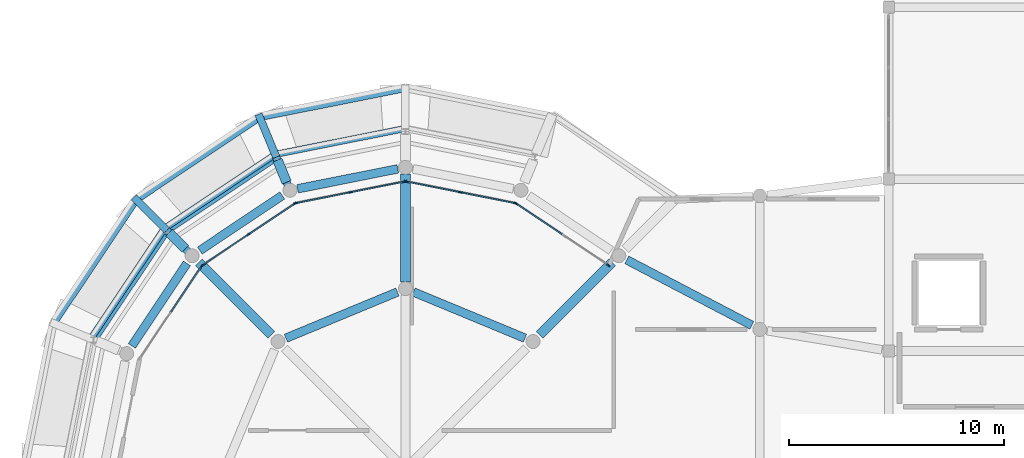
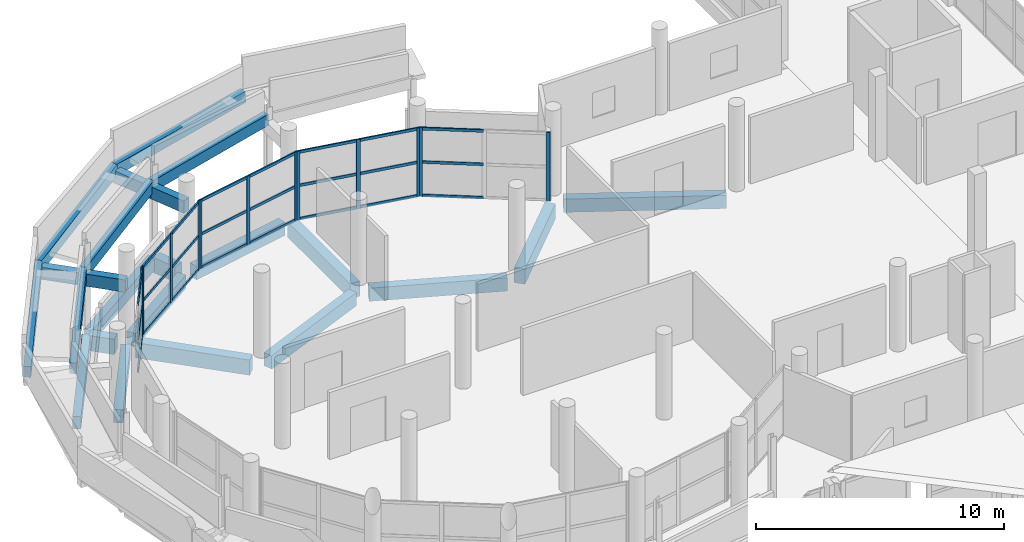
# One storey, part 18 of 83: 36 members, 23 beams, 5 elements without a shape of their own.
"""IFC4 building model written with IfcOpenShell, lengths in metres."""

from ifc_helpers import new_model, si_unit, direction, frame, origin, origin_2d, place, context, subcontext, project, spatial, rectangle, extrude, material, layer, layer_set, material_profile, profile_set, type_object, element, aggregate, save


model = new_model("IFC4")

# Units and contexts
model_context = context("Model", 3, precision=1e-05, world=origin(), true_north=direction((0.0, 1.0)))
body_context = subcontext(model_context, "Body", "Model", "MODEL_VIEW")
ifc_project = project(units=[si_unit("LENGTHUNIT", "METRE"), si_unit("AREAUNIT", "SQUARE_METRE"), si_unit("VOLUMEUNIT", "CUBIC_METRE"), si_unit("PLANEANGLEUNIT", "RADIAN"), si_unit("MASSUNIT", "GRAM", prefix="KILO")], contexts=[model_context])

# Site, building, storey
site_placement = place(None, origin())
site = spatial("IfcSite", under=ifc_project, at=site_placement, CompositionType="ELEMENT")
building_placement = place(site_placement, origin())
building = spatial("IfcBuilding", under=site, at=building_placement, Name="Jelvoka-Kovrelna Polytechnic", CompositionType="ELEMENT")
storey_placement = place(building_placement, frame((0.0, 0.0, 13.800048828125)))
storey = spatial("IfcBuildingStorey", under=building, at=storey_placement, Name="L04", CompositionType="ELEMENT", Elevation=13.800048828125)

# Beams
ifc_material_1 = material(Name="Concrete C35/45", Category="concrete")
ifc_material_profile_1 = material_profile(ifc_material_1, rectangle(XDim=0.35009765625, YDim=0.60009765625, at=origin_2d()), Name="RC 350x600")
ifc_profile_set_1 = profile_set([ifc_material_profile_1], Name="Concrete C35/45")
beam_type_1 = type_object("IfcBeamType", Name="Beam_RC_350x600", PredefinedType="BEAM", material=ifc_profile_set_1)
beam_1_placement = place(storey_placement, frame((15.565185546875, 52.434814453125, 2.4150390625), z_axis=(-0.707106781187, 0.707106781187, 0.0), x_axis=(-0.707106781187, -0.707106781187, 0.0)))
element("IfcBeam", 1, at=beam_1_placement, inside=storey, type_object=beam_type_1, Name="L04 spiral ramp inner tie beam 4.4", PredefinedType="BEAM", context=body_context, shape_type="SweptSolid", body=[
    extrude(rectangle(XDim=0.35009765625, YDim=0.60009765625, at=origin_2d()), origin(), (0.0, 0.0, 1.0), 1.670166015625),
])
beam_2_placement = place(storey_placement, frame((14.38427734375, 53.61572265625, 2.4150390625), z_axis=(-0.707106781187, 0.707106781187, 0.0), x_axis=(-0.707106781187, -0.707106781187, 0.0)))
element("IfcBeam", 2, at=beam_2_placement, inside=storey, type_object=beam_type_1, Name="L04 spiral ramp cantilever bracket 4.4", PredefinedType="BEAM", context=body_context, shape_type="SweptSolid", body=[
    extrude(rectangle(XDim=0.35009765625, YDim=0.60009765625, at=origin_2d()), origin(), (0.0, 0.0, 1.0), 2.159912109375),
])
beam_3_placement = place(storey_placement, frame((20.123291015625, 55.48046875, 2.8349609375), z_axis=(-0.38270467954, 0.923870731357, 0.0), x_axis=(-0.923870731357, -0.38270467954, 0.0)))
element("IfcBeam", 3, at=beam_3_placement, inside=storey, type_object=beam_type_1, Name="L04 spiral ramp inner tie beam 4.3", PredefinedType="BEAM", context=body_context, shape_type="SweptSolid", body=[
    extrude(rectangle(XDim=0.35009765625, YDim=0.60009765625, at=origin_2d()), origin(), (0.0, 0.0, 1.0), 1.670166015625),
])
beam_4_placement = place(storey_placement, frame((19.484130859375, 57.0234375, 2.8349609375), z_axis=(-0.382608018592, 0.923910766313, 0.0), x_axis=(-0.923910766313, -0.382608018592, 0.0)))
element("IfcBeam", 4, at=beam_4_placement, inside=storey, type_object=beam_type_1, Name="L04 spiral ramp cantilever bracket 4.3", PredefinedType="BEAM", context=body_context, shape_type="SweptSolid", body=[
    extrude(rectangle(XDim=0.35009765625, YDim=0.60009765625, at=origin_2d()), origin(), (0.0, 0.0, 1.0), 2.159912109375),
])
ifc_material_2 = material(Name="Concrete C40/50", Category="concrete")
ifc_material_profile_2 = material_profile(ifc_material_2, rectangle(XDim=0.39990234375, YDim=0.64990234375, at=origin_2d()), Name="RC 400x650")
ifc_profile_set_2 = profile_set([ifc_material_profile_2], Name="Concrete C40/50")
beam_type_2 = type_object("IfcBeamType", Name="Beam_RC_400x650", PredefinedType="BEAM", material=ifc_profile_set_2)
for number, where, z_axis, x_axis, name in (
    (5, (31.06591796875, 48.594482421875, -0.574951171875), (-0.923880758636, 0.382680472226, 0.0), (-0.382680472226, -0.923880758636, 0.0), "L04 beam 2546"),
    (6, (25.126220703125, 50.7451171875, -0.574951171875), (-0.923880758636, -0.382680472226, 0.0), (0.382680472226, -0.923880758636, 0.0), "L04 beam 2547"),
):
    element("IfcBeam", number, at=place(storey_placement, frame(where, z_axis=z_axis, x_axis=x_axis)), inside=storey, type_object=beam_type_2, Name=name, PredefinedType="BEAM", context=body_context, shape_type="SweptSolid", body=[
        extrude(rectangle(XDim=0.39990234375, YDim=0.64990234375, at=origin_2d()), origin(), (0.0, 0.0, 1.0), 5.619873046875),
    ])
beam_5_placement = place(storey_placement, frame((25.144775390625, 56.479248046875, -0.574951171875), z_axis=(-0.98079325321, -0.195050235727, 0.0), x_axis=(0.195050235727, -0.98079325321, 0.0)))
element("IfcBeam", 7, at=beam_5_placement, inside=storey, type_object=beam_type_2, Name="L04 beam 2554", PredefinedType="BEAM", context=body_context, shape_type="SweptSolid", body=[
    extrude(rectangle(XDim=0.39990234375, YDim=0.64990234375, at=origin_2d()), origin(), (0.0, 0.0, 1.0), 4.757568359375),
])
for number, where, z_axis, x_axis, name in (
    (8, (19.76513671875, 55.2412109375, -0.574951171875), (-0.83148081682, -0.555553463908, 0.0), (0.555553463908, -0.83148081682, 0.0), "L04 beam 2555"),
    (9, (15.32568359375, 52.07666015625, -0.574951171875), (-0.555553463908, -0.83148081682, 0.0), (0.83148081682, -0.555553463908, 0.0), "L04 beam 2556"),
):
    element("IfcBeam", number, at=place(storey_placement, frame(where, z_axis=z_axis, x_axis=x_axis)), inside=storey, type_object=beam_type_2, Name=name, PredefinedType="BEAM", context=body_context, shape_type="SweptSolid", body=[
        extrude(rectangle(XDim=0.39990234375, YDim=0.64990234375, at=origin_2d()), origin(), (0.0, 0.0, 1.0), 4.620361328125),
    ])
beam_6_placement = place(storey_placement, frame((35.805908203125, 52.24072265625, -0.574951171875), z_axis=(0.886059011068, -0.463572463488, 0.0), x_axis=(0.463572463488, 0.886059011068, 0.0)))
element("IfcBeam", 10, at=beam_6_placement, inside=storey, type_object=beam_type_2, Name="L04 beam 2593", PredefinedType="BEAM", context=body_context, shape_type="SweptSolid", body=[
    extrude(rectangle(XDim=0.39990234375, YDim=0.64990234375, at=origin_2d()), origin(), (0.0, 0.0, 1.0), 6.572021484375),
])
ifc_material_3 = material(Name="Concrete C40/50", Category="concrete")
ifc_material_profile_3 = material_profile(ifc_material_3, rectangle(XDim=0.449951171875, YDim=0.75, at=origin_2d()), Name="RC 450x750")
ifc_profile_set_3 = profile_set([ifc_material_profile_3], Name="Concrete C40/50")
beam_type_3 = type_object("IfcBeamType", Name="Beam_RC_450x750", PredefinedType="BEAM", material=ifc_profile_set_3)
beam_7_placement = place(storey_placement, frame((31.75048828125, 48.75048828125, -0.625), z_axis=(0.707106781187, 0.707106781187, 0.0), x_axis=(-0.707106781187, 0.707106781187, 0.0)))
element("IfcBeam", 11, at=beam_7_placement, inside=storey, type_object=beam_type_3, Name="L04 beam 2533", PredefinedType="BEAM", context=body_context, shape_type="SweptSolid", body=[
    extrude(rectangle(XDim=0.449951171875, YDim=0.75, at=origin_2d()), origin(), (0.0, 0.0, 1.0), 4.77099609375),
])
beam_8_placement = place(storey_placement, frame((25.5, 51.205078125, -0.625), z_axis=(0.0, 1.0, 0.0), x_axis=(-1.0, 0.0, 0.0)))
element("IfcBeam", 12, at=beam_8_placement, inside=storey, type_object=beam_type_3, Name="L04 beam 2535", PredefinedType="BEAM", context=body_context, shape_type="SweptSolid", body=[
    extrude(rectangle(XDim=0.449951171875, YDim=0.75, at=origin_2d()), origin(), (0.0, 0.0, 1.0), 5.0400390625),
])
beam_9_placement = place(storey_placement, frame((19.24951171875, 48.75048828125, -0.625), z_axis=(-0.707106781187, 0.707106781187, 0.0), x_axis=(-0.707106781187, -0.707106781187, 0.0)))
element("IfcBeam", 13, at=beam_9_placement, inside=storey, type_object=beam_type_3, Name="L04 beam 2537", PredefinedType="BEAM", context=body_context, shape_type="SweptSolid", body=[
    extrude(rectangle(XDim=0.449951171875, YDim=0.75, at=origin_2d()), origin(), (0.0, 0.0, 1.0), 4.77099609375),
])
beam_10_placement = place(storey_placement, frame((19.968505859375, 55.854248046875, -0.625), z_axis=(-0.382679177001, 0.923881295129, 0.0), x_axis=(-0.923881295129, -0.382679177001, 0.0)))
element("IfcBeam", 14, at=beam_10_placement, inside=storey, type_object=beam_type_3, Name="L04 beam 2568", PredefinedType="BEAM", context=body_context, shape_type="SweptSolid", body=[
    extrude(rectangle(XDim=0.449951171875, YDim=0.75, at=origin_2d()), origin(), (0.0, 0.0, 1.0), 1.11962890625),
])
beam_11_placement = place(storey_placement, frame((15.254150390625, 52.745849609375, -0.625), z_axis=(-0.707106781187, 0.707106781187, 0.0), x_axis=(-0.707106781187, -0.707106781187, 0.0)))
element("IfcBeam", 15, at=beam_11_placement, inside=storey, type_object=beam_type_3, Name="L04 beam 2569", PredefinedType="BEAM", context=body_context, shape_type="SweptSolid", body=[
    extrude(rectangle(XDim=0.449951171875, YDim=0.75, at=origin_2d()), origin(), (0.0, 0.0, 1.0), 1.0703125),
])

# Curtain wall, members
ifc_material_4 = material(Name="Anodised aluminium 6063-T6", Category="aluminium")
ifc_layer = layer(ifc_material_4, 0.179931640625)
ifc_layer_set = layer_set([ifc_layer], Name="Anodised aluminium 6063-T6")
curtain_wall_type = type_object("IfcCurtainWallType", Name="CW_Pavilion", PredefinedType="NOTDEFINED", material=ifc_layer_set)
curtain_wall_1_placement = place(storey_placement, origin())
curtain_wall_1 = element("IfcCurtainWall", 16, at=curtain_wall_1_placement, inside=storey, type_object=curtain_wall_type, Name="L04 glazed curtain wall 244", PredefinedType="NOTDEFINED")
ifc_material_5 = material(Name="Anodised aluminium 6063-T6", Category="aluminium")
ifc_material_profile_4 = material_profile(ifc_material_5, rectangle(XDim=0.06494140625, YDim=0.179931640625, at=origin_2d()), Name="ALU 65x180")
ifc_profile_set_4 = profile_set([ifc_material_profile_4], Name="Anodised aluminium 6063-T6")
member_type_1 = type_object("IfcMemberType", Name="Mullion_M-05", PredefinedType="MULLION", material=ifc_profile_set_4)
member_1_placement = place(storey_placement, frame((30.655029296875, 54.862060546875, -0.02490234375), z_axis=(0.0, 0.0, 1.0), x_axis=(0.555582639326, 0.83146132254, 0.0)))
member_1 = element("IfcMember", 17, at=member_1_placement, type_object=member_type_1, Name="CW-05 mullion 1", PredefinedType="MULLION", context=body_context, shape_type="SweptSolid", body=[
    extrude(rectangle(XDim=0.06494140625, YDim=0.179931640625, at=origin_2d()), origin(), (0.0, 0.0, 1.0), 3.39990234375),
])
member_2_placement = place(storey_placement, frame((34.9482421875, 51.9931640625, -0.02490234375), z_axis=(0.0, 0.0, 1.0), x_axis=(0.555582639326, 0.83146132254, 0.0)))
member_2 = element("IfcMember", 18, at=member_2_placement, type_object=member_type_1, Name="CW-05 mullion 3", PredefinedType="MULLION", context=body_context, shape_type="SweptSolid", body=[
    extrude(rectangle(XDim=0.06494140625, YDim=0.179931640625, at=origin_2d()), origin(), (0.0, 0.0, 1.0), 3.39990234375),
])

curtain_wall_2_placement = place(storey_placement, origin())
curtain_wall_2 = element("IfcCurtainWall", 19, at=curtain_wall_2_placement, inside=storey, type_object=curtain_wall_type, Name="L04 glazed curtain wall 245", PredefinedType="NOTDEFINED")
member_3_placement = place(storey_placement, frame((25.531982421875, 55.8935546875, -0.02490234375), z_axis=(0.0, 0.0, 1.0), x_axis=(0.195086160371, 0.980786108197, 0.0)))
member_3 = element("IfcMember", 20, at=member_3_placement, type_object=member_type_1, Name="CW-05 mullion 1", PredefinedType="MULLION", context=body_context, shape_type="SweptSolid", body=[
    extrude(rectangle(XDim=0.06494140625, YDim=0.179931640625, at=origin_2d()), origin(), (0.0, 0.0, 1.0), 3.39990234375),
])
member_4_placement = place(storey_placement, frame((28.06396484375, 55.389892578125, -0.02490234375), z_axis=(0.0, 0.0, 1.0), x_axis=(0.195086160371, 0.980786108197, 0.0)))
member_4 = element("IfcMember", 21, at=member_4_placement, type_object=member_type_1, Name="CW-05 mullion 2", PredefinedType="MULLION", context=body_context, shape_type="SweptSolid", body=[
    extrude(rectangle(XDim=0.06494140625, YDim=0.179931640625, at=origin_2d()), origin(), (0.0, 0.0, 1.0), 3.39990234375),
])
member_5_placement = place(storey_placement, frame((30.59619140625, 54.88623046875, -0.02490234375), z_axis=(0.0, 0.0, 1.0), x_axis=(0.195086160371, 0.980786108197, 0.0)))
member_5 = element("IfcMember", 22, at=member_5_placement, type_object=member_type_1, Name="CW-05 mullion 3", PredefinedType="MULLION", context=body_context, shape_type="SweptSolid", body=[
    extrude(rectangle(XDim=0.06494140625, YDim=0.179931640625, at=origin_2d()), origin(), (0.0, 0.0, 1.0), 3.39990234375),
])

curtain_wall_3_placement = place(storey_placement, origin())
curtain_wall_3 = element("IfcCurtainWall", 23, at=curtain_wall_3_placement, inside=storey, type_object=curtain_wall_type, Name="L04 glazed curtain wall 246", PredefinedType="NOTDEFINED")
member_6_placement = place(storey_placement, frame((20.40380859375, 54.88623046875, -0.02490234375), z_axis=(0.0, 0.0, 1.0), x_axis=(-0.195086160371, 0.980786108197, 0.0)))
member_6 = element("IfcMember", 24, at=member_6_placement, type_object=member_type_1, Name="CW-05 mullion 1", PredefinedType="MULLION", context=body_context, shape_type="SweptSolid", body=[
    extrude(rectangle(XDim=0.06494140625, YDim=0.179931640625, at=origin_2d()), origin(), (0.0, 0.0, 1.0), 3.39990234375),
])
member_7_placement = place(storey_placement, frame((22.93603515625, 55.389892578125, -0.02490234375), z_axis=(0.0, 0.0, 1.0), x_axis=(-0.195086160371, 0.980786108197, 0.0)))
member_7 = element("IfcMember", 25, at=member_7_placement, type_object=member_type_1, Name="CW-05 mullion 2", PredefinedType="MULLION", context=body_context, shape_type="SweptSolid", body=[
    extrude(rectangle(XDim=0.06494140625, YDim=0.179931640625, at=origin_2d()), origin(), (0.0, 0.0, 1.0), 3.39990234375),
])
member_8_placement = place(storey_placement, frame((25.468017578125, 55.8935546875, -0.02490234375), z_axis=(0.0, 0.0, 1.0), x_axis=(-0.195086160371, 0.980786108197, 0.0)))
member_8 = element("IfcMember", 26, at=member_8_placement, type_object=member_type_1, Name="CW-05 mullion 3", PredefinedType="MULLION", context=body_context, shape_type="SweptSolid", body=[
    extrude(rectangle(XDim=0.06494140625, YDim=0.179931640625, at=origin_2d()), origin(), (0.0, 0.0, 1.0), 3.39990234375),
])

curtain_wall_4_placement = place(storey_placement, origin())
curtain_wall_4 = element("IfcCurtainWall", 27, at=curtain_wall_4_placement, inside=storey, type_object=curtain_wall_type, Name="L04 glazed curtain wall 247", PredefinedType="NOTDEFINED")
member_9_placement = place(storey_placement, frame((16.0517578125, 51.9931640625, -0.02490234375), z_axis=(0.0, 0.0, 1.0), x_axis=(-0.555582639326, 0.83146132254, 0.0)))
member_9 = element("IfcMember", 28, at=member_9_placement, type_object=member_type_1, Name="CW-05 mullion 1", PredefinedType="MULLION", context=body_context, shape_type="SweptSolid", body=[
    extrude(rectangle(XDim=0.06494140625, YDim=0.179931640625, at=origin_2d()), origin(), (0.0, 0.0, 1.0), 3.39990234375),
])
member_10_placement = place(storey_placement, frame((18.198486328125, 53.427490234375, -0.02490234375), z_axis=(0.0, 0.0, 1.0), x_axis=(-0.555582639326, 0.83146132254, 0.0)))
member_10 = element("IfcMember", 29, at=member_10_placement, type_object=member_type_1, Name="CW-05 mullion 2", PredefinedType="MULLION", context=body_context, shape_type="SweptSolid", body=[
    extrude(rectangle(XDim=0.06494140625, YDim=0.179931640625, at=origin_2d()), origin(), (0.0, 0.0, 1.0), 3.39990234375),
])
member_11_placement = place(storey_placement, frame((20.344970703125, 54.862060546875, -0.02490234375), z_axis=(0.0, 0.0, 1.0), x_axis=(-0.555582639326, 0.83146132254, 0.0)))
member_11 = element("IfcMember", 30, at=member_11_placement, type_object=member_type_1, Name="CW-05 mullion 3", PredefinedType="MULLION", context=body_context, shape_type="SweptSolid", body=[
    extrude(rectangle(XDim=0.06494140625, YDim=0.179931640625, at=origin_2d()), origin(), (0.0, 0.0, 1.0), 3.39990234375),
])

# Curtain wall, member
curtain_wall_5_placement = place(storey_placement, origin())
curtain_wall_5 = element("IfcCurtainWall", 31, at=curtain_wall_5_placement, inside=storey, type_object=curtain_wall_type, Name="L04 glazed curtain wall 248", PredefinedType="NOTDEFINED")
member_12_placement = place(storey_placement, frame((16.0068359375, 51.9482421875, -0.02490234375), z_axis=(0.0, 0.0, 1.0), x_axis=(-0.83146132254, 0.555582639326, 0.0)))
member_12 = element("IfcMember", 32, at=member_12_placement, type_object=member_type_1, Name="CW-05 mullion 3", PredefinedType="MULLION", context=body_context, shape_type="SweptSolid", body=[
    extrude(rectangle(XDim=0.06494140625, YDim=0.179931640625, at=origin_2d()), origin(), (0.0, 0.0, 1.0), 3.39990234375),
])

# Beams
ifc_material_6 = material(Name="Concrete C40/50", Category="concrete")
ifc_material_profile_5 = material_profile(ifc_material_6, rectangle(XDim=0.300048828125, YDim=0.550048828125, at=origin_2d()), Name="RC 300x550")
ifc_profile_set_5 = profile_set([ifc_material_profile_5], Name="Concrete C40/50")
beam_type_4 = type_object("IfcBeamType", Name="Spandrel_RC_300x550", PredefinedType="SPANDREL", material=ifc_profile_set_5)
beam_12_placement = place(storey_placement, frame((9.12890625, 49.28125, 2.244873046875), z_axis=(0.554573122281, 0.829921109522, 0.060659739637), x_axis=(-0.831452226772, 0.555596251424, 0.0)))
element("IfcBeam", 33, at=beam_12_placement, inside=storey, type_object=beam_type_4, Name="L04 spiral ramp curved outer stringer 4.5", PredefinedType="SPANDREL", context=body_context, shape_type="SweptSolid", body=[
    extrude(rectangle(XDim=0.300048828125, YDim=0.550048828125, at=origin_2d()), origin(), (0.0, 0.0, 1.0), 6.926513671875),
])
beam_13_placement = place(storey_placement, frame((10.847412109375, 48.5693359375, 2.244873046875), z_axis=(0.554297687258, 0.829557148059, 0.067742246824), x_axis=(-0.831467148194, 0.555573920801, 0.0)))
element("IfcBeam", 34, at=beam_13_placement, inside=storey, type_object=beam_type_4, Name="L04 spiral ramp curved inner stringer 4.5", PredefinedType="SPANDREL", context=body_context, shape_type="SweptSolid", body=[
    extrude(rectangle(XDim=0.300048828125, YDim=0.550048828125, at=origin_2d()), origin(), (0.0, 0.0, 1.0), 6.202392578125),
])
beam_14_placement = place(storey_placement, frame((12.97021484375, 55.02978515625, 2.6650390625), z_axis=(0.829922883435, 0.554574307652, 0.06062462242), x_axis=(-0.555596251424, 0.831452226772, 0.0)))
element("IfcBeam", 35, at=beam_14_placement, inside=storey, type_object=beam_type_4, Name="L04 spiral ramp curved outer stringer 4.4", PredefinedType="SPANDREL", context=body_context, shape_type="SweptSolid", body=[
    extrude(rectangle(XDim=0.300048828125, YDim=0.550048828125, at=origin_2d()), origin(), (0.0, 0.0, 1.0), 6.926513671875),
])
beam_15_placement = place(storey_placement, frame((14.285400390625, 53.714599609375, 2.6650390625), z_axis=(0.829559359423, 0.554299164858, 0.067703065158), x_axis=(-0.555573920801, 0.831467148194, 0.0)))
element("IfcBeam", 36, at=beam_15_placement, inside=storey, type_object=beam_type_4, Name="L04 spiral ramp curved inner stringer 4.4", PredefinedType="SPANDREL", context=body_context, shape_type="SweptSolid", body=[
    extrude(rectangle(XDim=0.300048828125, YDim=0.550048828125, at=origin_2d()), origin(), (0.0, 0.0, 1.0), 6.202392578125),
])
beam_16_placement = place(storey_placement, frame((18.71875, 58.87109375, 3.0849609375), z_axis=(0.978981323396, 0.194731848062, 0.060622403379), x_axis=(-0.195090664524, 0.980785212274, 0.0)))
element("IfcBeam", 37, at=beam_16_placement, inside=storey, type_object=beam_type_4, Name="L04 spiral ramp curved outer stringer 4.3", PredefinedType="SPANDREL", context=body_context, shape_type="SweptSolid", body=[
    extrude(rectangle(XDim=0.300048828125, YDim=0.550048828125, at=origin_2d()), origin(), (0.0, 0.0, 1.0), 6.9267578125),
])
beam_17_placement = place(storey_placement, frame((19.4306640625, 57.152587890625, 3.0849609375), z_axis=(0.978527145192, 0.194682029772, 0.067701797656), x_axis=(-0.195129735209, 0.980777439808, 0.0)))
element("IfcBeam", 38, at=beam_17_placement, inside=storey, type_object=beam_type_4, Name="L04 spiral ramp curved inner stringer 4.3", PredefinedType="SPANDREL", context=body_context, shape_type="SweptSolid", body=[
    extrude(rectangle(XDim=0.300048828125, YDim=0.550048828125, at=origin_2d()), origin(), (0.0, 0.0, 1.0), 6.20263671875),
])
ifc_material_7 = material(Name="Concrete C40/50", Category="concrete")
ifc_material_profile_6 = material_profile(ifc_material_7, rectangle(XDim=0.35009765625, YDim=0.60009765625, at=origin_2d()), Name="RC 350x600")
ifc_profile_set_6 = profile_set([ifc_material_profile_6], Name="Concrete C40/50")
beam_type_5 = type_object("IfcBeamType", Name="Spandrel_RC_350x600", PredefinedType="SPANDREL", material=ifc_profile_set_6)
for number, where, z_axis, x_axis, name in (
    (39, (19.3544921875, 56.9365234375, -0.550048828125), (-0.831475611635, -0.555561254279, 0.0), (0.555561254279, -0.831475611635, 0.0), "L04 beam 2580"),
    (40, (14.297607421875, 53.48583984375, -0.550048828125), (-0.555561254279, -0.831475611635, 0.0), (0.831475611635, -0.555561254279, 0.0), "L04 beam 2581"),
):
    element("IfcBeam", number, at=place(storey_placement, frame(where, z_axis=z_axis, x_axis=x_axis)), inside=storey, type_object=beam_type_5, Name=name, PredefinedType="SPANDREL", context=body_context, shape_type="SweptSolid", body=[
        extrude(rectangle(XDim=0.35009765625, YDim=0.60009765625, at=origin_2d()), origin(), (0.0, 0.0, 1.0), 5.8212890625),
    ])

# Member
ifc_material_8 = material(Name="Anodised aluminium 6063-T6", Category="aluminium")
ifc_material_profile_7 = material_profile(ifc_material_8, rectangle(XDim=0.06494140625, YDim=0.135009765625, at=origin_2d()), Name="ALU 65x135")
ifc_profile_set_7 = profile_set([ifc_material_profile_7], Name="Anodised aluminium 6063-T6")
member_type_2 = type_object("IfcMemberType", Name="Transom_T-05", PredefinedType="USERDEFINED", material=ifc_profile_set_7)
member_13_placement = place(storey_placement, frame((30.68212890625, 54.843994140625, 0.032470703125), z_axis=(0.831422966795, -0.555640036612, 0.0), x_axis=(0.555640036612, 0.831422966795, 0.0)))
member_13 = element("IfcMember", 41, at=member_13_placement, type_object=member_type_2, Name="CW-05 transom 1.1", ObjectType="TRANSOM", PredefinedType="USERDEFINED", context=body_context, shape_type="SweptSolid", body=[
    extrude(rectangle(XDim=0.06494140625, YDim=0.135009765625, at=origin_2d()), origin(), (0.0, 0.0, 1.0), 2.516845703125),
])

member_14_placement = place(storey_placement, frame((30.68212890625, 54.843994140625, 1.675048828125), z_axis=(0.831422966795, -0.555640036612, 0.0), x_axis=(0.555640036612, 0.831422966795, 0.0)))
member_14 = element("IfcMember", 42, at=member_14_placement, type_object=member_type_2, Name="CW-05 transom 1.2", ObjectType="TRANSOM", PredefinedType="USERDEFINED", context=body_context, shape_type="SweptSolid", body=[
    extrude(rectangle(XDim=0.06494140625, YDim=0.135009765625, at=origin_2d()), origin(), (0.0, 0.0, 1.0), 2.516845703125),
])

member_15_placement = place(storey_placement, frame((30.68212890625, 54.843994140625, 3.3173828125), z_axis=(0.831422966795, -0.555640036612, 0.0), x_axis=(0.555640036612, 0.831422966795, 0.0)))
member_15 = element("IfcMember", 43, at=member_15_placement, type_object=member_type_2, Name="CW-05 transom 1.3", ObjectType="TRANSOM", PredefinedType="USERDEFINED", context=body_context, shape_type="SweptSolid", body=[
    extrude(rectangle(XDim=0.06494140625, YDim=0.135009765625, at=origin_2d()), origin(), (0.0, 0.0, 1.0), 2.516845703125),
])

aggregate(curtain_wall_1, [member_1, member_2, member_13, member_14, member_15])

member_16_placement = place(storey_placement, frame((25.563720703125, 55.88720703125, 0.032470703125), z_axis=(0.980789047023, -0.195071384983, 0.0), x_axis=(0.195071384983, 0.980789047023, 0.0)))
member_16 = element("IfcMember", 44, at=member_16_placement, type_object=member_type_2, Name="CW-05 transom 1.1", ObjectType="TRANSOM", PredefinedType="USERDEFINED", context=body_context, shape_type="SweptSolid", body=[
    extrude(rectangle(XDim=0.06494140625, YDim=0.135009765625, at=origin_2d()), origin(), (0.0, 0.0, 1.0), 2.516845703125),
])

member_17_placement = place(storey_placement, frame((25.563720703125, 55.88720703125, 1.675048828125), z_axis=(0.980789047023, -0.195071384983, 0.0), x_axis=(0.195071384983, 0.980789047023, 0.0)))
member_17 = element("IfcMember", 45, at=member_17_placement, type_object=member_type_2, Name="CW-05 transom 1.2", ObjectType="TRANSOM", PredefinedType="USERDEFINED", context=body_context, shape_type="SweptSolid", body=[
    extrude(rectangle(XDim=0.06494140625, YDim=0.135009765625, at=origin_2d()), origin(), (0.0, 0.0, 1.0), 2.516845703125),
])

member_18_placement = place(storey_placement, frame((25.563720703125, 55.88720703125, 3.3173828125), z_axis=(0.980789047023, -0.195071384983, 0.0), x_axis=(0.195071384983, 0.980789047023, 0.0)))
member_18 = element("IfcMember", 46, at=member_18_placement, type_object=member_type_2, Name="CW-05 transom 1.3", ObjectType="TRANSOM", PredefinedType="USERDEFINED", context=body_context, shape_type="SweptSolid", body=[
    extrude(rectangle(XDim=0.06494140625, YDim=0.135009765625, at=origin_2d()), origin(), (0.0, 0.0, 1.0), 2.516845703125),
])

member_19_placement = place(storey_placement, frame((28.095947265625, 55.383544921875, 0.032470703125), z_axis=(0.980785355287, -0.195089945547, 0.0), x_axis=(0.195089945547, 0.980785355287, 0.0)))
member_19 = element("IfcMember", 47, at=member_19_placement, type_object=member_type_2, Name="CW-05 transom 2.1", ObjectType="TRANSOM", PredefinedType="USERDEFINED", context=body_context, shape_type="SweptSolid", body=[
    extrude(rectangle(XDim=0.06494140625, YDim=0.135009765625, at=origin_2d()), origin(), (0.0, 0.0, 1.0), 2.5166015625),
])

member_20_placement = place(storey_placement, frame((28.095947265625, 55.383544921875, 1.675048828125), z_axis=(0.980785355287, -0.195089945547, 0.0), x_axis=(0.195089945547, 0.980785355287, 0.0)))
member_20 = element("IfcMember", 48, at=member_20_placement, type_object=member_type_2, Name="CW-05 transom 2.2", ObjectType="TRANSOM", PredefinedType="USERDEFINED", context=body_context, shape_type="SweptSolid", body=[
    extrude(rectangle(XDim=0.06494140625, YDim=0.135009765625, at=origin_2d()), origin(), (0.0, 0.0, 1.0), 2.5166015625),
])

member_21_placement = place(storey_placement, frame((28.095947265625, 55.383544921875, 3.3173828125), z_axis=(0.980785355287, -0.195089945547, 0.0), x_axis=(0.195089945547, 0.980785355287, 0.0)))
member_21 = element("IfcMember", 49, at=member_21_placement, type_object=member_type_2, Name="CW-05 transom 2.3", ObjectType="TRANSOM", PredefinedType="USERDEFINED", context=body_context, shape_type="SweptSolid", body=[
    extrude(rectangle(XDim=0.06494140625, YDim=0.135009765625, at=origin_2d()), origin(), (0.0, 0.0, 1.0), 2.5166015625),
])

aggregate(curtain_wall_2, [member_3, member_4, member_5, member_16, member_17, member_18, member_19, member_20, member_21])

member_22_placement = place(storey_placement, frame((20.435791015625, 54.892578125, 0.032470703125), z_axis=(0.980785355287, 0.195089945547, 0.0), x_axis=(-0.195089945547, 0.980785355287, 0.0)))
member_22 = element("IfcMember", 50, at=member_22_placement, type_object=member_type_2, Name="CW-05 transom 1.1", ObjectType="TRANSOM", PredefinedType="USERDEFINED", context=body_context, shape_type="SweptSolid", body=[
    extrude(rectangle(XDim=0.06494140625, YDim=0.135009765625, at=origin_2d()), origin(), (0.0, 0.0, 1.0), 2.5166015625),
])

member_23_placement = place(storey_placement, frame((20.435791015625, 54.892578125, 1.675048828125), z_axis=(0.980785355287, 0.195089945547, 0.0), x_axis=(-0.195089945547, 0.980785355287, 0.0)))
member_23 = element("IfcMember", 51, at=member_23_placement, type_object=member_type_2, Name="CW-05 transom 1.2", ObjectType="TRANSOM", PredefinedType="USERDEFINED", context=body_context, shape_type="SweptSolid", body=[
    extrude(rectangle(XDim=0.06494140625, YDim=0.135009765625, at=origin_2d()), origin(), (0.0, 0.0, 1.0), 2.5166015625),
])

member_24_placement = place(storey_placement, frame((20.435791015625, 54.892578125, 3.3173828125), z_axis=(0.980785355287, 0.195089945547, 0.0), x_axis=(-0.195089945547, 0.980785355287, 0.0)))
member_24 = element("IfcMember", 52, at=member_24_placement, type_object=member_type_2, Name="CW-05 transom 1.3", ObjectType="TRANSOM", PredefinedType="USERDEFINED", context=body_context, shape_type="SweptSolid", body=[
    extrude(rectangle(XDim=0.06494140625, YDim=0.135009765625, at=origin_2d()), origin(), (0.0, 0.0, 1.0), 2.5166015625),
])

member_25_placement = place(storey_placement, frame((22.9677734375, 55.396240234375, 0.032470703125), z_axis=(0.980789047023, 0.195071384983, 0.0), x_axis=(-0.195071384983, 0.980789047023, 0.0)))
member_25 = element("IfcMember", 53, at=member_25_placement, type_object=member_type_2, Name="CW-05 transom 2.1", ObjectType="TRANSOM", PredefinedType="USERDEFINED", context=body_context, shape_type="SweptSolid", body=[
    extrude(rectangle(XDim=0.06494140625, YDim=0.135009765625, at=origin_2d()), origin(), (0.0, 0.0, 1.0), 2.516845703125),
])

member_26_placement = place(storey_placement, frame((22.9677734375, 55.396240234375, 1.675048828125), z_axis=(0.980789047023, 0.195071384983, 0.0), x_axis=(-0.195071384983, 0.980789047023, 0.0)))
member_26 = element("IfcMember", 54, at=member_26_placement, type_object=member_type_2, Name="CW-05 transom 2.2", ObjectType="TRANSOM", PredefinedType="USERDEFINED", context=body_context, shape_type="SweptSolid", body=[
    extrude(rectangle(XDim=0.06494140625, YDim=0.135009765625, at=origin_2d()), origin(), (0.0, 0.0, 1.0), 2.516845703125),
])

member_27_placement = place(storey_placement, frame((22.9677734375, 55.396240234375, 3.3173828125), z_axis=(0.980789047023, 0.195071384983, 0.0), x_axis=(-0.195071384983, 0.980789047023, 0.0)))
member_27 = element("IfcMember", 55, at=member_27_placement, type_object=member_type_2, Name="CW-05 transom 2.3", ObjectType="TRANSOM", PredefinedType="USERDEFINED", context=body_context, shape_type="SweptSolid", body=[
    extrude(rectangle(XDim=0.06494140625, YDim=0.135009765625, at=origin_2d()), origin(), (0.0, 0.0, 1.0), 2.516845703125),
])

aggregate(curtain_wall_3, [member_6, member_7, member_8, member_22, member_23, member_24, member_25, member_26, member_27])

member_28_placement = place(storey_placement, frame((16.078857421875, 52.01123046875, 0.032470703125), z_axis=(0.831467779718, 0.555572975667, 0.0), x_axis=(-0.555572975667, 0.831467779718, 0.0)))
member_28 = element("IfcMember", 56, at=member_28_placement, type_object=member_type_2, Name="CW-05 transom 1.1", ObjectType="TRANSOM", PredefinedType="USERDEFINED", context=body_context, shape_type="SweptSolid", body=[
    extrude(rectangle(XDim=0.06494140625, YDim=0.135009765625, at=origin_2d()), origin(), (0.0, 0.0, 1.0), 2.5166015625),
])

member_29_placement = place(storey_placement, frame((16.078857421875, 52.01123046875, 1.675048828125), z_axis=(0.831467779718, 0.555572975667, 0.0), x_axis=(-0.555572975667, 0.831467779718, 0.0)))
member_29 = element("IfcMember", 57, at=member_29_placement, type_object=member_type_2, Name="CW-05 transom 1.2", ObjectType="TRANSOM", PredefinedType="USERDEFINED", context=body_context, shape_type="SweptSolid", body=[
    extrude(rectangle(XDim=0.06494140625, YDim=0.135009765625, at=origin_2d()), origin(), (0.0, 0.0, 1.0), 2.5166015625),
])

member_30_placement = place(storey_placement, frame((16.078857421875, 52.01123046875, 3.3173828125), z_axis=(0.831467779718, 0.555572975667, 0.0), x_axis=(-0.555572975667, 0.831467779718, 0.0)))
member_30 = element("IfcMember", 58, at=member_30_placement, type_object=member_type_2, Name="CW-05 transom 1.3", ObjectType="TRANSOM", PredefinedType="USERDEFINED", context=body_context, shape_type="SweptSolid", body=[
    extrude(rectangle(XDim=0.06494140625, YDim=0.135009765625, at=origin_2d()), origin(), (0.0, 0.0, 1.0), 2.5166015625),
])

member_31_placement = place(storey_placement, frame((18.225341796875, 53.445556640625, 0.032470703125), z_axis=(0.831422966795, 0.555640036612, 0.0), x_axis=(-0.555640036612, 0.831422966795, 0.0)))
member_31 = element("IfcMember", 59, at=member_31_placement, type_object=member_type_2, Name="CW-05 transom 2.1", ObjectType="TRANSOM", PredefinedType="USERDEFINED", context=body_context, shape_type="SweptSolid", body=[
    extrude(rectangle(XDim=0.06494140625, YDim=0.135009765625, at=origin_2d()), origin(), (0.0, 0.0, 1.0), 2.516845703125),
])

member_32_placement = place(storey_placement, frame((18.225341796875, 53.445556640625, 1.675048828125), z_axis=(0.831422966795, 0.555640036612, 0.0), x_axis=(-0.555640036612, 0.831422966795, 0.0)))
member_32 = element("IfcMember", 60, at=member_32_placement, type_object=member_type_2, Name="CW-05 transom 2.2", ObjectType="TRANSOM", PredefinedType="USERDEFINED", context=body_context, shape_type="SweptSolid", body=[
    extrude(rectangle(XDim=0.06494140625, YDim=0.135009765625, at=origin_2d()), origin(), (0.0, 0.0, 1.0), 2.516845703125),
])

member_33_placement = place(storey_placement, frame((18.225341796875, 53.445556640625, 3.3173828125), z_axis=(0.831422966795, 0.555640036612, 0.0), x_axis=(-0.555640036612, 0.831422966795, 0.0)))
member_33 = element("IfcMember", 61, at=member_33_placement, type_object=member_type_2, Name="CW-05 transom 2.3", ObjectType="TRANSOM", PredefinedType="USERDEFINED", context=body_context, shape_type="SweptSolid", body=[
    extrude(rectangle(XDim=0.06494140625, YDim=0.135009765625, at=origin_2d()), origin(), (0.0, 0.0, 1.0), 2.516845703125),
])

aggregate(curtain_wall_4, [member_9, member_10, member_11, member_28, member_29, member_30, member_31, member_32, member_33])

member_34_placement = place(storey_placement, frame((14.590576171875, 49.82861328125, 0.032470703125), z_axis=(0.555572975667, 0.831467779718, 0.0), x_axis=(-0.831467779718, 0.555572975667, 0.0)))
member_34 = element("IfcMember", 62, at=member_34_placement, type_object=member_type_2, Name="CW-05 transom 2.1", ObjectType="TRANSOM", PredefinedType="USERDEFINED", context=body_context, shape_type="SweptSolid", body=[
    extrude(rectangle(XDim=0.06494140625, YDim=0.135009765625, at=origin_2d()), origin(), (0.0, 0.0, 1.0), 2.5166015625),
])

member_35_placement = place(storey_placement, frame((14.590576171875, 49.82861328125, 1.675048828125), z_axis=(0.555572975667, 0.831467779718, 0.0), x_axis=(-0.831467779718, 0.555572975667, 0.0)))
member_35 = element("IfcMember", 63, at=member_35_placement, type_object=member_type_2, Name="CW-05 transom 2.2", ObjectType="TRANSOM", PredefinedType="USERDEFINED", context=body_context, shape_type="SweptSolid", body=[
    extrude(rectangle(XDim=0.06494140625, YDim=0.135009765625, at=origin_2d()), origin(), (0.0, 0.0, 1.0), 2.5166015625),
])

member_36_placement = place(storey_placement, frame((14.590576171875, 49.82861328125, 3.3173828125), z_axis=(0.555572975667, 0.831467779718, 0.0), x_axis=(-0.831467779718, 0.555572975667, 0.0)))
member_36 = element("IfcMember", 64, at=member_36_placement, type_object=member_type_2, Name="CW-05 transom 2.3", ObjectType="TRANSOM", PredefinedType="USERDEFINED", context=body_context, shape_type="SweptSolid", body=[
    extrude(rectangle(XDim=0.06494140625, YDim=0.135009765625, at=origin_2d()), origin(), (0.0, 0.0, 1.0), 2.5166015625),
])

aggregate(curtain_wall_5, [member_12, member_34, member_35, member_36])

save(model, "model.ifc")
